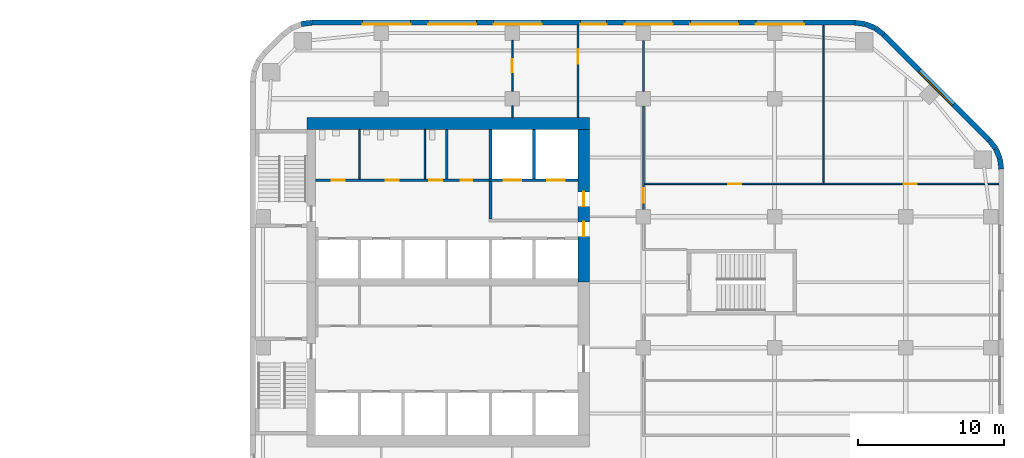
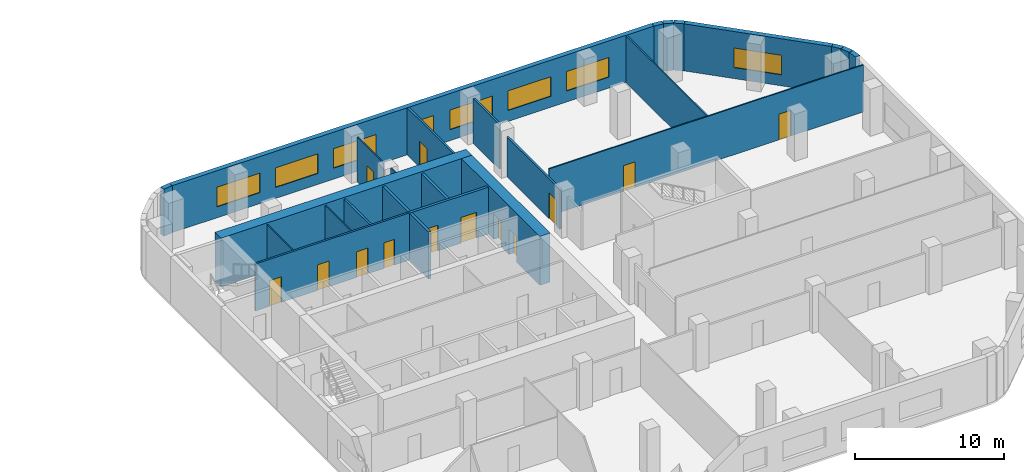
# One storey, part 10 of 14: 26 walls, 13 doors, 8 windows, 21 openings.
"""IFC4 building model written with IfcOpenShell, lengths in metres."""

from ifc_helpers import new_model, si_unit, direction, frame, frame_2d, origin, place, context, subcontext, project, spatial, rectangle, extrude, material, layer, layer_set, type_object, element, fill, save


model = new_model("IFC4")

# Units and contexts
model_context = context("Model", 3, precision=1e-05, world=origin(), true_north=direction((0.0, 1.0)))
body_context = subcontext(model_context, "Body", "Model", "MODEL_VIEW")
ifc_project = project(units=[si_unit("LENGTHUNIT", "METRE"), si_unit("AREAUNIT", "SQUARE_METRE"), si_unit("VOLUMEUNIT", "CUBIC_METRE"), si_unit("PLANEANGLEUNIT", "RADIAN"), si_unit("MASSUNIT", "GRAM", prefix="KILO")], contexts=[model_context])

# Site, building, storey
site_placement = place(None, origin())
site = spatial("IfcSite", under=ifc_project, at=site_placement, CompositionType="ELEMENT")
building_placement = place(site_placement, origin())
building = spatial("IfcBuilding", under=site, at=building_placement, Name="Cinnabar Reach Civic Tower", CompositionType="ELEMENT")
storey_placement = place(building_placement, frame((0.0, 0.0, 128.0)))
storey = spatial("IfcBuildingStorey", under=building, at=storey_placement, Name="L30", CompositionType="ELEMENT", Elevation=128.0)

# Walls
ifc_material_1 = material(Name="Facing brick with insulated backing", Category="masonry")
ifc_layer_1 = layer(ifc_material_1, 0.36)
ifc_layer_set_1 = layer_set([ifc_layer_1], Name="Brick corner wall")
wall_type_1 = type_object("IfcWallType", Name="Brick corner wall", PredefinedType="STANDARD", material=ifc_layer_set_1)
for number, where, z_axis, x_axis, name in (
    (1, (51.567, 39.2686, 0.0), (0.0, 0.0, 1.0), (-0.13055608231, 0.99144092581, 0.0), "Brick corner wall"),
    (2, (51.4681, 39.9973, 0.0), (0.0, 0.0, 1.0), (-0.382702709855, 0.923871547278, 0.0), "Brick corner wall"),
):
    element("IfcWall", number, at=place(storey_placement, frame(where, z_axis=z_axis, x_axis=x_axis)), inside=storey, type_object=wall_type_1, Name=name, PredefinedType="STANDARD", context=body_context, shape_type="SweptSolid", body=[
        extrude(rectangle(XDim=0.7131, YDim=0.36, at=frame_2d((0.3565, 0.0))), origin(), (0.0, 0.0, 1.0), 3.85),
    ])
for number, where, z_axis, x_axis, name in (
    (3, (51.184, 40.6755, 0.0), (0.0, 0.0, 1.0), (-0.608802368033, 0.793321924995, 0.0), "Brick corner wall"),
    (4, (43.4913, 48.4998, 0.0), (0.0, 0.0, 1.0), (-0.793321924995, 0.608802368033, 0.0), "Brick corner wall"),
):
    element("IfcWall", number, at=place(storey_placement, frame(where, z_axis=z_axis, x_axis=x_axis)), inside=storey, type_object=wall_type_1, Name=name, PredefinedType="STANDARD", context=body_context, shape_type="SweptSolid", body=[
        extrude(rectangle(XDim=0.7132, YDim=0.36, at=frame_2d((0.3566, 0.0))), origin(), (0.0, 0.0, 1.0), 3.85),
    ])
for number, where, z_axis, x_axis, name in (
    (5, (42.9061, 48.9452, 0.0), (0.0, 0.0, 1.0), (-0.923871547278, 0.382702709855, 0.0), "Brick corner wall"),
    (6, (42.2256, 49.2239, 0.0), (0.0, 0.0, 1.0), (-0.99144092581, 0.13055608231, 0.0), "Brick corner wall"),
    (7, (4.2314, 49.317, 0.0), (0.0, 0.0, 1.0), (-0.99144092581, -0.13055608231, 0.0), "Brick corner wall"),
):
    element("IfcWall", number, at=place(storey_placement, frame(where, z_axis=z_axis, x_axis=x_axis)), inside=storey, type_object=wall_type_1, Name=name, PredefinedType="STANDARD", context=body_context, shape_type="SweptSolid", body=[
        extrude(rectangle(XDim=0.7131, YDim=0.36, at=frame_2d((0.3565, 0.0))), origin(), (0.0, 0.0, 1.0), 3.85),
    ])

# Wall, opening, window
ifc_layer_2 = layer(ifc_material_1, 0.36)
ifc_layer_set_2 = layer_set([ifc_layer_2], Name="Brick pier and spandrel wall")
wall_type_2 = type_object("IfcWallType", Name="Brick pier and spandrel wall", PredefinedType="STANDARD", material=ifc_layer_set_2)
wall_1_placement = place(storey_placement, frame((50.744, 41.2514, 0.0), z_axis=(0.0, 0.0, 1.0), x_axis=(-0.707106781187, 0.707106781187, 0.0)))
wall_1 = element("IfcWall", 8, at=wall_1_placement, inside=storey, type_object=wall_type_2, Name="Brick facade wall", PredefinedType="STANDARD", context=body_context, shape_type="SweptSolid", body=[
    extrude(rectangle(XDim=10.2426, YDim=0.36, at=frame_2d((5.1213, 0.0))), origin(), (0.0, 0.0, 1.0), 3.85),
])
opening_1_placement = place(wall_1_placement, frame((3.4713, 0.0, 0.9)))
opening_1 = element("IfcOpeningElement", 9, at=opening_1_placement, cuts=wall_1, Name="Opening W1645", PredefinedType="OPENING", context=body_context, shape_type="SweptSolid", body=[
    extrude(rectangle(XDim=3.3, YDim=1.6, at=frame_2d((1.65, 0.8))), frame((0.0, 0.19, 0.0), z_axis=(0.0, -1.0, 0.0), x_axis=(1.0, 0.0, 0.0)), (0.0, 0.0, 1.0), 0.38),
])
ifc_material_2 = material(Name="Clear double glazing in aluminium frame", Category="aluminium")
window_type_1 = type_object("IfcWindowType", Name="Deep-set window A", PartitioningType="SINGLE_PANEL", PredefinedType="WINDOW", material=ifc_material_2)
window_1_placement = place(opening_1_placement, origin())
window_1 = element("IfcWindow", 10, at=window_1_placement, inside=storey, type_object=window_type_1, Name="Window northeast face", OverallHeight=1.6, OverallWidth=3.3, PartitioningType="SINGLE_PANEL", PredefinedType="WINDOW", context=body_context, shape_type="SweptSolid", body=[
    extrude(rectangle(XDim=3.3, YDim=1.6, at=frame_2d((1.65, 0.8))), frame((0.0, 0.13, 0.0), z_axis=(0.0, -1.0, 0.0), x_axis=(1.0, 0.0, 0.0)), (0.0, 0.0, 1.0), 0.06),
])
fill(opening_1, window_1)

# Wall, openings, windows
wall_2_placement = place(storey_placement, frame((41.5074, 49.32, 0.0), z_axis=(0.0, 0.0, 1.0), x_axis=(-1.0, 0.0, 0.0)))
wall_2 = element("IfcWall", 11, at=wall_2_placement, inside=storey, type_object=wall_type_2, Name="Brick facade wall", PredefinedType="STANDARD", context=body_context, shape_type="SweptSolid", body=[
    extrude(rectangle(XDim=37.2648, YDim=0.36, at=frame_2d((18.6324, 0.0))), origin(), (0.0, 0.0, 1.0), 3.85),
])
opening_2_placement = place(wall_2_placement, frame((3.4824, 0.0, 0.9)))
opening_2 = element("IfcOpeningElement", 12, at=opening_2_placement, cuts=wall_2, Name="Opening W1646", PredefinedType="OPENING", context=body_context, shape_type="SweptSolid", body=[
    extrude(rectangle(XDim=3.3, YDim=1.6, at=frame_2d((1.65, 0.8))), frame((0.0, 0.19, 0.0), z_axis=(0.0, -1.0, 0.0), x_axis=(1.0, 0.0, 0.0)), (0.0, 0.0, 1.0), 0.38),
])
opening_3_placement = place(wall_2_placement, frame((7.9824, 0.0, 0.9)))
opening_3 = element("IfcOpeningElement", 13, at=opening_3_placement, cuts=wall_2, Name="Opening W1647", PredefinedType="OPENING", context=body_context, shape_type="SweptSolid", body=[
    extrude(rectangle(XDim=3.3, YDim=1.6, at=frame_2d((1.65, 0.8))), frame((0.0, 0.19, 0.0), z_axis=(0.0, -1.0, 0.0), x_axis=(1.0, 0.0, 0.0)), (0.0, 0.0, 1.0), 0.38),
])
opening_4_placement = place(wall_2_placement, frame((12.4824, 0.0, 0.9)))
opening_4 = element("IfcOpeningElement", 14, at=opening_4_placement, cuts=wall_2, Name="Opening W1648", PredefinedType="OPENING", context=body_context, shape_type="SweptSolid", body=[
    extrude(rectangle(XDim=3.3, YDim=1.6, at=frame_2d((1.65, 0.8))), frame((0.0, 0.19, 0.0), z_axis=(0.0, -1.0, 0.0), x_axis=(1.0, 0.0, 0.0)), (0.0, 0.0, 1.0), 0.38),
])
opening_5_placement = place(wall_2_placement, frame((17.0324, 0.0, 0.9)))
opening_5 = element("IfcOpeningElement", 15, at=opening_5_placement, cuts=wall_2, Name="Opening W1649", PredefinedType="OPENING", context=body_context, shape_type="SweptSolid", body=[
    extrude(rectangle(XDim=1.8, YDim=1.6, at=frame_2d((0.9, 0.8))), frame((0.0, 0.19, 0.0), z_axis=(0.0, -1.0, 0.0), x_axis=(1.0, 0.0, 0.0)), (0.0, 0.0, 1.0), 0.38),
])
opening_6_placement = place(wall_2_placement, frame((21.4824, 0.0, 0.9)))
opening_6 = element("IfcOpeningElement", 16, at=opening_6_placement, cuts=wall_2, Name="Opening W1650", PredefinedType="OPENING", context=body_context, shape_type="SweptSolid", body=[
    extrude(rectangle(XDim=3.3, YDim=1.6, at=frame_2d((1.65, 0.8))), frame((0.0, 0.19, 0.0), z_axis=(0.0, -1.0, 0.0), x_axis=(1.0, 0.0, 0.0)), (0.0, 0.0, 1.0), 0.38),
])
opening_7_placement = place(wall_2_placement, frame((25.9824, 0.0, 0.9)))
opening_7 = element("IfcOpeningElement", 17, at=opening_7_placement, cuts=wall_2, Name="Opening W1651", PredefinedType="OPENING", context=body_context, shape_type="SweptSolid", body=[
    extrude(rectangle(XDim=3.3, YDim=1.6, at=frame_2d((1.65, 0.8))), frame((0.0, 0.19, 0.0), z_axis=(0.0, -1.0, 0.0), x_axis=(1.0, 0.0, 0.0)), (0.0, 0.0, 1.0), 0.38),
])
opening_8_placement = place(wall_2_placement, frame((30.4824, 0.0, 0.9)))
opening_8 = element("IfcOpeningElement", 18, at=opening_8_placement, cuts=wall_2, Name="Opening W1652", PredefinedType="OPENING", context=body_context, shape_type="SweptSolid", body=[
    extrude(rectangle(XDim=3.3, YDim=1.6, at=frame_2d((1.65, 0.8))), frame((0.0, 0.19, 0.0), z_axis=(0.0, -1.0, 0.0), x_axis=(1.0, 0.0, 0.0)), (0.0, 0.0, 1.0), 0.38),
])
window_2_placement = place(opening_2_placement, origin())
window_2 = element("IfcWindow", 19, at=window_2_placement, inside=storey, type_object=window_type_1, Name="Window north face", OverallHeight=1.6, OverallWidth=3.3, PartitioningType="SINGLE_PANEL", PredefinedType="WINDOW", context=body_context, shape_type="SweptSolid", body=[
    extrude(rectangle(XDim=3.3, YDim=1.6, at=frame_2d((1.65, 0.8))), frame((0.0, 0.13, 0.0), z_axis=(0.0, -1.0, 0.0), x_axis=(1.0, 0.0, 0.0)), (0.0, 0.0, 1.0), 0.06),
])
fill(opening_2, window_2)
window_3_placement = place(opening_3_placement, origin())
window_3 = element("IfcWindow", 20, at=window_3_placement, inside=storey, type_object=window_type_1, Name="Window north face", OverallHeight=1.6, OverallWidth=3.3, PartitioningType="SINGLE_PANEL", PredefinedType="WINDOW", context=body_context, shape_type="SweptSolid", body=[
    extrude(rectangle(XDim=3.3, YDim=1.6, at=frame_2d((1.65, 0.8))), frame((0.0, 0.13, 0.0), z_axis=(0.0, -1.0, 0.0), x_axis=(1.0, 0.0, 0.0)), (0.0, 0.0, 1.0), 0.06),
])
fill(opening_3, window_3)
window_4_placement = place(opening_4_placement, origin())
window_4 = element("IfcWindow", 21, at=window_4_placement, inside=storey, type_object=window_type_1, Name="Window north face", OverallHeight=1.6, OverallWidth=3.3, PartitioningType="SINGLE_PANEL", PredefinedType="WINDOW", context=body_context, shape_type="SweptSolid", body=[
    extrude(rectangle(XDim=3.3, YDim=1.6, at=frame_2d((1.65, 0.8))), frame((0.0, 0.13, 0.0), z_axis=(0.0, -1.0, 0.0), x_axis=(1.0, 0.0, 0.0)), (0.0, 0.0, 1.0), 0.06),
])
fill(opening_4, window_4)
window_5_placement = place(opening_6_placement, origin())
window_5 = element("IfcWindow", 22, at=window_5_placement, inside=storey, type_object=window_type_1, Name="Window north face", OverallHeight=1.6, OverallWidth=3.3, PartitioningType="SINGLE_PANEL", PredefinedType="WINDOW", context=body_context, shape_type="SweptSolid", body=[
    extrude(rectangle(XDim=3.3, YDim=1.6, at=frame_2d((1.65, 0.8))), frame((0.0, 0.13, 0.0), z_axis=(0.0, -1.0, 0.0), x_axis=(1.0, 0.0, 0.0)), (0.0, 0.0, 1.0), 0.06),
])
fill(opening_6, window_5)
window_6_placement = place(opening_7_placement, origin())
window_6 = element("IfcWindow", 23, at=window_6_placement, inside=storey, type_object=window_type_1, Name="Window north face", OverallHeight=1.6, OverallWidth=3.3, PartitioningType="SINGLE_PANEL", PredefinedType="WINDOW", context=body_context, shape_type="SweptSolid", body=[
    extrude(rectangle(XDim=3.3, YDim=1.6, at=frame_2d((1.65, 0.8))), frame((0.0, 0.13, 0.0), z_axis=(0.0, -1.0, 0.0), x_axis=(1.0, 0.0, 0.0)), (0.0, 0.0, 1.0), 0.06),
])
fill(opening_7, window_6)
window_7_placement = place(opening_8_placement, origin())
window_7 = element("IfcWindow", 24, at=window_7_placement, inside=storey, type_object=window_type_1, Name="Window north face", OverallHeight=1.6, OverallWidth=3.3, PartitioningType="SINGLE_PANEL", PredefinedType="WINDOW", context=body_context, shape_type="SweptSolid", body=[
    extrude(rectangle(XDim=3.3, YDim=1.6, at=frame_2d((1.65, 0.8))), frame((0.0, 0.13, 0.0), z_axis=(0.0, -1.0, 0.0), x_axis=(1.0, 0.0, 0.0)), (0.0, 0.0, 1.0), 0.06),
])
fill(opening_8, window_7)
window_type_2 = type_object("IfcWindowType", Name="Deep-set window D", PartitioningType="SINGLE_PANEL", PredefinedType="WINDOW", material=ifc_material_2)
window_8_placement = place(opening_5_placement, origin())
window_8 = element("IfcWindow", 25, at=window_8_placement, inside=storey, type_object=window_type_2, Name="Window north face", OverallHeight=1.6, OverallWidth=1.8, PartitioningType="SINGLE_PANEL", PredefinedType="WINDOW", context=body_context, shape_type="SweptSolid", body=[
    extrude(rectangle(XDim=1.8, YDim=1.6, at=frame_2d((0.9, 0.8))), frame((0.0, 0.13, 0.0), z_axis=(0.0, -1.0, 0.0), x_axis=(1.0, 0.0, 0.0)), (0.0, 0.0, 1.0), 0.06),
])
fill(opening_5, window_8)

# Wall
ifc_material_3 = material(Name="Concrete C70", Category="concrete")
ifc_layer_3 = layer(ifc_material_3, 0.8)
ifc_layer_set_3 = layer_set([ifc_layer_3], Name="Core wall 800 EI 180")
wall_type_3 = type_object("IfcWallType", Name="Core wall 800 EI 180", PredefinedType="SOLIDWALL", material=ifc_layer_set_3)
wall_3_placement = place(storey_placement, frame((23.3, 42.4, 0.0), z_axis=(0.0, 0.0, 1.0), x_axis=(-1.0, 0.0, 0.0)))
element("IfcWall", 26, at=wall_3_placement, inside=storey, type_object=wall_type_3, Name="Core wall T1 L30 N", PredefinedType="SOLIDWALL", context=body_context, shape_type="SweptSolid", body=[
    extrude(rectangle(XDim=19.4, YDim=0.8, at=frame_2d((9.7, 0.0))), origin(), (0.0, 0.0, 1.0), 4.0),
])

# Wall, openings, doors
wall_4_placement = place(storey_placement, frame((22.9, 31.5, 0.0), z_axis=(0.0, 0.0, 1.0), x_axis=(0.0, 1.0, 0.0)))
wall_4 = element("IfcWall", 27, at=wall_4_placement, inside=storey, type_object=wall_type_3, Name="Core wall T1 L30 E2", PredefinedType="SOLIDWALL", context=body_context, shape_type="SweptSolid", body=[
    extrude(rectangle(XDim=10.5, YDim=0.8, at=frame_2d((5.25, 0.0))), origin(), (0.0, 0.0, 1.0), 4.0),
])
opening_9_placement = place(wall_4_placement, frame((3.15, 0.0, 0.0)))
opening_9 = element("IfcOpeningElement", 28, at=opening_9_placement, cuts=wall_4, Name="Opening D4229", PredefinedType="OPENING", context=body_context, shape_type="SweptSolid", body=[
    extrude(rectangle(XDim=1.0, YDim=2.1, at=frame_2d((0.5, 1.05))), frame((0.0, 0.41, 0.0), z_axis=(0.0, -1.0, 0.0), x_axis=(1.0, 0.0, 0.0)), (0.0, 0.0, 1.0), 0.82),
])
opening_10_placement = place(wall_4_placement, frame((5.2, 0.0, 0.0)))
opening_10 = element("IfcOpeningElement", 29, at=opening_10_placement, cuts=wall_4, Name="Opening D4230", PredefinedType="OPENING", context=body_context, shape_type="SweptSolid", body=[
    extrude(rectangle(XDim=1.0, YDim=2.1, at=frame_2d((0.5, 1.05))), frame((0.0, 0.41, 0.0), z_axis=(0.0, -1.0, 0.0), x_axis=(1.0, 0.0, 0.0)), (0.0, 0.0, 1.0), 0.82),
])
ifc_material_4 = material(Name="Timber door leaf in steel frame", Category="steel")
door_type_1 = type_object("IfcDoorType", Name="Firefighting lobby door 1000 x 2100 T1", OperationType="SINGLE_SWING_LEFT", PredefinedType="DOOR", material=ifc_material_4)
door_1_placement = place(opening_10_placement, origin())
door_1 = element("IfcDoor", 30, at=door_1_placement, inside=storey, type_object=door_type_1, Name="Door D4230", OperationType="SINGLE_SWING_RIGHT", OverallHeight=2.1, OverallWidth=1.0, PredefinedType="DOOR", context=body_context, shape_type="SweptSolid", body=[
    extrude(rectangle(XDim=1.0, YDim=2.1, at=frame_2d((0.5, 1.05))), frame((0.0, 0.025, 0.0), z_axis=(0.0, -1.0, 0.0), x_axis=(1.0, 0.0, 0.0)), (0.0, 0.0, 1.0), 0.05),
])
fill(opening_10, door_1)
door_type_2 = type_object("IfcDoorType", Name="Single swing door 1000 x 2100 T1", OperationType="SINGLE_SWING_LEFT", PredefinedType="DOOR", material=ifc_material_4)
door_2_placement = place(opening_9_placement, origin())
door_2 = element("IfcDoor", 31, at=door_2_placement, inside=storey, type_object=door_type_2, Name="Door D4229", OperationType="SINGLE_SWING_RIGHT", OverallHeight=2.1, OverallWidth=1.0, PredefinedType="DOOR", context=body_context, shape_type="SweptSolid", body=[
    extrude(rectangle(XDim=1.0, YDim=2.1, at=frame_2d((0.5, 1.05))), frame((0.0, 0.025, 0.0), z_axis=(0.0, -1.0, 0.0), x_axis=(1.0, 0.0, 0.0)), (0.0, 0.0, 1.0), 0.05),
])
fill(opening_9, door_2)

# Wall, opening, door
ifc_material_5 = material(Name="Gypsum board on steel studs, double layer", Category="steel")
ifc_layer_4 = layer(ifc_material_5, 0.15)
ifc_layer_set_4 = layer_set([ifc_layer_4], Name="Corridor wall 150 T1")
wall_type_4 = type_object("IfcWallType", Name="Corridor wall 150 T1", PredefinedType="PARTITIONING", material=ifc_layer_set_4)
wall_5_placement = place(storey_placement, frame((27.0, 36.5, 0.0), z_axis=(0.0, 0.0, 1.0), x_axis=(0.0, 1.0, 0.0)))
wall_5 = element("IfcWall", 32, at=wall_5_placement, inside=storey, type_object=wall_type_4, Name="Corridor wall 28", PredefinedType="PARTITIONING", context=body_context, shape_type="SweptSolid", body=[
    extrude(rectangle(XDim=7.1, YDim=0.15, at=frame_2d((3.55, 0.0))), origin(), (0.0, 0.0, 1.0), 3.256),
])
opening_11_placement = place(wall_5_placement, frame((0.45, 0.0, 0.0)))
opening_11 = element("IfcOpeningElement", 33, at=opening_11_placement, cuts=wall_5, Name="Opening D4239", PredefinedType="OPENING", context=body_context, shape_type="SweptSolid", body=[
    extrude(rectangle(XDim=1.0, YDim=2.1, at=frame_2d((0.5, 1.05))), frame((0.0, 0.085, 0.0), z_axis=(0.0, -1.0, 0.0), x_axis=(1.0, 0.0, 0.0)), (0.0, 0.0, 1.0), 0.17),
])
door_type_3 = type_object("IfcDoorType", Name="Tenancy entrance door 1000 x 2100 T1", OperationType="SINGLE_SWING_LEFT", PredefinedType="DOOR", material=ifc_material_4)
door_3_placement = place(opening_11_placement, frame((1.0, 0.0, 0.0), z_axis=(0.0, 0.0, 1.0), x_axis=(-1.0, 0.0, 0.0)))
door_3 = element("IfcDoor", 34, at=door_3_placement, inside=storey, type_object=door_type_3, Name="Door D4239", OperationType="SINGLE_SWING_LEFT", OverallHeight=2.1, OverallWidth=1.0, PredefinedType="DOOR", context=body_context, shape_type="SweptSolid", body=[
    extrude(rectangle(XDim=1.0, YDim=2.1, at=frame_2d((0.5, 1.05))), frame((0.0, 0.025, 0.0), z_axis=(0.0, -1.0, 0.0), x_axis=(1.0, 0.0, 0.0)), (0.0, 0.0, 1.0), 0.05),
])
fill(opening_11, door_3)

# Wall
wall_6_placement = place(storey_placement, frame((27.0, 44.6, 0.0), z_axis=(0.0, 0.0, 1.0), x_axis=(0.0, 1.0, 0.0)))
element("IfcWall", 35, at=wall_6_placement, inside=storey, type_object=wall_type_4, Name="Corridor wall 29", PredefinedType="PARTITIONING", context=body_context, shape_type="SweptSolid", body=[
    extrude(rectangle(XDim=3.5, YDim=0.15, at=frame_2d((1.75, 0.0))), origin(), (0.0, 0.0, 1.0), 3.652),
])

# Wall, openings, doors
wall_7_placement = place(storey_placement, frame((4.5, 38.5, 0.0), z_axis=(0.0, 0.0, 1.0), x_axis=(1.0, 0.0, 0.0)))
wall_7 = element("IfcWall", 36, at=wall_7_placement, inside=storey, type_object=wall_type_4, Name="Corridor wall 30", PredefinedType="PARTITIONING", context=body_context, shape_type="SweptSolid", body=[
    extrude(rectangle(XDim=11.9, YDim=0.15, at=frame_2d((5.95, 0.0))), origin(), (0.0, 0.0, 1.0), 3.85),
])
opening_12_placement = place(wall_7_placement, frame((1.1, 0.0, 0.0)))
opening_12 = element("IfcOpeningElement", 37, at=opening_12_placement, cuts=wall_7, Name="Opening D4235", PredefinedType="OPENING", context=body_context, shape_type="SweptSolid", body=[
    extrude(rectangle(XDim=0.9, YDim=2.1, at=frame_2d((0.45, 1.05))), frame((0.0, 0.085, 0.0), z_axis=(0.0, -1.0, 0.0), x_axis=(1.0, 0.0, 0.0)), (0.0, 0.0, 1.0), 0.17),
])
opening_13_placement = place(wall_7_placement, frame((4.8, 0.0, 0.0)))
opening_13 = element("IfcOpeningElement", 38, at=opening_13_placement, cuts=wall_7, Name="Opening D4236", PredefinedType="OPENING", context=body_context, shape_type="SweptSolid", body=[
    extrude(rectangle(XDim=0.9, YDim=2.1, at=frame_2d((0.45, 1.05))), frame((0.0, 0.085, 0.0), z_axis=(0.0, -1.0, 0.0), x_axis=(1.0, 0.0, 0.0)), (0.0, 0.0, 1.0), 0.17),
])
opening_14_placement = place(wall_7_placement, frame((7.8, 0.0, 0.0)))
opening_14 = element("IfcOpeningElement", 39, at=opening_14_placement, cuts=wall_7, Name="Opening D4237", PredefinedType="OPENING", context=body_context, shape_type="SweptSolid", body=[
    extrude(rectangle(XDim=0.9, YDim=2.1, at=frame_2d((0.45, 1.05))), frame((0.0, 0.085, 0.0), z_axis=(0.0, -1.0, 0.0), x_axis=(1.0, 0.0, 0.0)), (0.0, 0.0, 1.0), 0.17),
])
opening_15_placement = place(wall_7_placement, frame((9.95, 0.0, 0.0)))
opening_15 = element("IfcOpeningElement", 40, at=opening_15_placement, cuts=wall_7, Name="Opening D4238", PredefinedType="OPENING", context=body_context, shape_type="SweptSolid", body=[
    extrude(rectangle(XDim=0.8, YDim=2.1, at=frame_2d((0.4, 1.05))), frame((0.0, 0.085, 0.0), z_axis=(0.0, -1.0, 0.0), x_axis=(1.0, 0.0, 0.0)), (0.0, 0.0, 1.0), 0.17),
])
door_type_4 = type_object("IfcDoorType", Name="Riser access door 800 x 2100 T1", OperationType="SINGLE_SWING_LEFT", PredefinedType="DOOR", material=ifc_material_4)
door_4_placement = place(opening_15_placement, origin())
door_4 = element("IfcDoor", 41, at=door_4_placement, inside=storey, type_object=door_type_4, Name="Door D4238", OperationType="SINGLE_SWING_RIGHT", OverallHeight=2.1, OverallWidth=0.8, PredefinedType="DOOR", context=body_context, shape_type="SweptSolid", body=[
    extrude(rectangle(XDim=0.8, YDim=2.1, at=frame_2d((0.4, 1.05))), frame((0.0, 0.025, 0.0), z_axis=(0.0, -1.0, 0.0), x_axis=(1.0, 0.0, 0.0)), (0.0, 0.0, 1.0), 0.05),
])
fill(opening_15, door_4)
door_type_5 = type_object("IfcDoorType", Name="Single swing door 900 x 2100 corridor T1", OperationType="SINGLE_SWING_LEFT", PredefinedType="DOOR", material=ifc_material_4)
door_5_placement = place(opening_12_placement, origin())
door_5 = element("IfcDoor", 42, at=door_5_placement, inside=storey, type_object=door_type_5, Name="Door D4235", OperationType="SINGLE_SWING_RIGHT", OverallHeight=2.1, OverallWidth=0.9, PredefinedType="DOOR", context=body_context, shape_type="SweptSolid", body=[
    extrude(rectangle(XDim=0.9, YDim=2.1, at=frame_2d((0.45, 1.05))), frame((0.0, 0.025, 0.0), z_axis=(0.0, -1.0, 0.0), x_axis=(1.0, 0.0, 0.0)), (0.0, 0.0, 1.0), 0.05),
])
fill(opening_12, door_5)
door_6_placement = place(opening_13_placement, origin())
door_6 = element("IfcDoor", 43, at=door_6_placement, inside=storey, type_object=door_type_5, Name="Door D4236", OperationType="SINGLE_SWING_LEFT", OverallHeight=2.1, OverallWidth=0.9, PredefinedType="DOOR", context=body_context, shape_type="SweptSolid", body=[
    extrude(rectangle(XDim=0.9, YDim=2.1, at=frame_2d((0.45, 1.05))), frame((0.0, 0.025, 0.0), z_axis=(0.0, -1.0, 0.0), x_axis=(1.0, 0.0, 0.0)), (0.0, 0.0, 1.0), 0.05),
])
fill(opening_13, door_6)
door_7_placement = place(opening_14_placement, origin())
door_7 = element("IfcDoor", 44, at=door_7_placement, inside=storey, type_object=door_type_5, Name="Door D4237", OperationType="SINGLE_SWING_RIGHT", OverallHeight=2.1, OverallWidth=0.9, PredefinedType="DOOR", context=body_context, shape_type="SweptSolid", body=[
    extrude(rectangle(XDim=0.9, YDim=2.1, at=frame_2d((0.45, 1.05))), frame((0.0, 0.025, 0.0), z_axis=(0.0, -1.0, 0.0), x_axis=(1.0, 0.0, 0.0)), (0.0, 0.0, 1.0), 0.05),
])
fill(opening_14, door_7)

# Wall, opening, door
wall_8_placement = place(storey_placement, frame((22.5, 42.8, 0.0), z_axis=(0.0, 0.0, 1.0), x_axis=(0.0, 1.0, 0.0)))
wall_8 = element("IfcWall", 45, at=wall_8_placement, inside=storey, type_object=wall_type_4, Name="Corridor wall 33", PredefinedType="PARTITIONING", context=body_context, shape_type="SweptSolid", body=[
    extrude(rectangle(XDim=6.34, YDim=0.15, at=frame_2d((3.17, 0.0))), origin(), (0.0, 0.0, 1.0), 3.85),
])
opening_16_placement = place(wall_8_placement, frame((3.7, 0.0, 0.0)))
opening_16 = element("IfcOpeningElement", 46, at=opening_16_placement, cuts=wall_8, Name="Opening D4250", PredefinedType="OPENING", context=body_context, shape_type="SweptSolid", body=[
    extrude(rectangle(XDim=1.0, YDim=2.1, at=frame_2d((0.5, 1.05))), frame((0.0, 0.085, 0.0), z_axis=(0.0, -1.0, 0.0), x_axis=(1.0, 0.0, 0.0)), (0.0, 0.0, 1.0), 0.17),
])
door_8_placement = place(opening_16_placement, origin())
door_8 = element("IfcDoor", 47, at=door_8_placement, inside=storey, type_object=door_type_3, Name="Door D4250", OperationType="SINGLE_SWING_LEFT", OverallHeight=2.1, OverallWidth=1.0, PredefinedType="DOOR", context=body_context, shape_type="SweptSolid", body=[
    extrude(rectangle(XDim=1.0, YDim=2.1, at=frame_2d((0.5, 1.05))), frame((0.0, 0.025, 0.0), z_axis=(0.0, -1.0, 0.0), x_axis=(1.0, 0.0, 0.0)), (0.0, 0.0, 1.0), 0.05),
])
fill(opening_16, door_8)

# Walls
ifc_material_6 = material(Name="Blockwork", Category="masonry")
ifc_layer_5 = layer(ifc_material_6, 0.2)
ifc_layer_set_5 = layer_set([ifc_layer_5], Name="Lift shaft wall 200 T1")
wall_type_5 = type_object("IfcWallType", Name="Lift shaft wall 200 T1", PredefinedType="PARTITIONING", material=ifc_layer_set_5)
for number, where, z_axis, x_axis, name in (
    (48, (16.5, 38.6, 0.0), (0.0, 0.0, 1.0), (0.0, 1.0, 0.0), "Lift shaft wall 6"),
    (49, (19.5, 38.6, 0.0), (0.0, 0.0, 1.0), (0.0, 1.0, 0.0), "Lift shaft wall 7"),
):
    element("IfcWall", number, at=place(storey_placement, frame(where, z_axis=z_axis, x_axis=x_axis)), inside=storey, type_object=wall_type_5, Name=name, PredefinedType="PARTITIONING", context=body_context, shape_type="SweptSolid", body=[
        extrude(rectangle(XDim=3.4, YDim=0.2, at=frame_2d((1.7, 0.0))), origin(), (0.0, 0.0, 1.0), 3.85),
    ])

# Wall, openings, doors
ifc_material_7 = material(Name="Gypsum board on steel studs", Category="steel")
ifc_layer_6 = layer(ifc_material_7, 0.1)
ifc_layer_set_6 = layer_set([ifc_layer_6], Name="Partition wall 100 T1")
wall_type_6 = type_object("IfcWallType", Name="Partition wall 100 T1", PredefinedType="PARTITIONING", material=ifc_layer_set_6)
wall_9_placement = place(storey_placement, frame((27.075, 38.25, 0.0), z_axis=(0.0, 0.0, 1.0), x_axis=(1.0, 0.0, 0.0)))
wall_9 = element("IfcWall", 50, at=wall_9_placement, inside=storey, type_object=wall_type_6, Name="Partition wall 42", PredefinedType="PARTITIONING", context=body_context, shape_type="SweptSolid", body=[
    extrude(rectangle(XDim=24.315, YDim=0.1, at=frame_2d((12.1575, 0.0))), origin(), (0.0, 0.0, 1.0), 3.85),
])
opening_17_placement = place(wall_9_placement, frame((5.75, 0.0, 0.0)))
opening_17 = element("IfcOpeningElement", 51, at=opening_17_placement, cuts=wall_9, Name="Opening D4240", PredefinedType="OPENING", context=body_context, shape_type="SweptSolid", body=[
    extrude(rectangle(XDim=0.9, YDim=2.1, at=frame_2d((0.45, 1.05))), frame((0.0, 0.06, 0.0), z_axis=(0.0, -1.0, 0.0), x_axis=(1.0, 0.0, 0.0)), (0.0, 0.0, 1.0), 0.12),
])
opening_18_placement = place(wall_9_placement, frame((17.8, 0.0, 0.0)))
opening_18 = element("IfcOpeningElement", 52, at=opening_18_placement, cuts=wall_9, Name="Opening D4241", PredefinedType="OPENING", context=body_context, shape_type="SweptSolid", body=[
    extrude(rectangle(XDim=0.9, YDim=2.1, at=frame_2d((0.45, 1.05))), frame((0.0, 0.06, 0.0), z_axis=(0.0, -1.0, 0.0), x_axis=(1.0, 0.0, 0.0)), (0.0, 0.0, 1.0), 0.12),
])
door_type_6 = type_object("IfcDoorType", Name="Single swing door 900 x 2100 T1", OperationType="SINGLE_SWING_LEFT", PredefinedType="DOOR", material=ifc_material_4)
door_9_placement = place(opening_17_placement, origin())
door_9 = element("IfcDoor", 53, at=door_9_placement, inside=storey, type_object=door_type_6, Name="Door D4240", OperationType="SINGLE_SWING_LEFT", OverallHeight=2.1, OverallWidth=0.9, PredefinedType="DOOR", context=body_context, shape_type="SweptSolid", body=[
    extrude(rectangle(XDim=0.9, YDim=2.1, at=frame_2d((0.45, 1.05))), frame((0.0, 0.025, 0.0), z_axis=(0.0, -1.0, 0.0), x_axis=(1.0, 0.0, 0.0)), (0.0, 0.0, 1.0), 0.05),
])
fill(opening_17, door_9)
door_10_placement = place(opening_18_placement, origin())
door_10 = element("IfcDoor", 54, at=door_10_placement, inside=storey, type_object=door_type_6, Name="Door D4241", OperationType="SINGLE_SWING_RIGHT", OverallHeight=2.1, OverallWidth=0.9, PredefinedType="DOOR", context=body_context, shape_type="SweptSolid", body=[
    extrude(rectangle(XDim=0.9, YDim=2.1, at=frame_2d((0.45, 1.05))), frame((0.0, 0.025, 0.0), z_axis=(0.0, -1.0, 0.0), x_axis=(1.0, 0.0, 0.0)), (0.0, 0.0, 1.0), 0.05),
])
fill(opening_18, door_10)

# Walls
wall_10_placement = place(storey_placement, frame((39.375, 38.3, 0.0), z_axis=(0.0, 0.0, 1.0), x_axis=(0.0, 1.0, 0.0)))
element("IfcWall", 55, at=wall_10_placement, inside=storey, type_object=wall_type_6, Name="Partition wall 49", PredefinedType="PARTITIONING", context=body_context, shape_type="SweptSolid", body=[
    extrude(rectangle(XDim=10.84, YDim=0.1, at=frame_2d((5.42, 0.0))), origin(), (0.0, 0.0, 1.0), 3.85),
])
wall_11_placement = place(storey_placement, frame((18.0, 42.8, 0.0), z_axis=(0.0, 0.0, 1.0), x_axis=(0.0, 1.0, 0.0)))
element("IfcWall", 56, at=wall_11_placement, inside=storey, type_object=wall_type_6, Name="Partition wall 51", PredefinedType="PARTITIONING", context=body_context, shape_type="SweptSolid", body=[
    extrude(rectangle(XDim=0.8, YDim=0.1, at=frame_2d((0.4, 0.0))), origin(), (0.0, 0.0, 1.0), 3.85),
])

# Wall, opening, door
wall_12_placement = place(storey_placement, frame((18.0, 44.6, 0.0), z_axis=(0.0, 0.0, 1.0), x_axis=(0.0, 1.0, 0.0)))
wall_12 = element("IfcWall", 57, at=wall_12_placement, inside=storey, type_object=wall_type_6, Name="Partition wall 52", PredefinedType="PARTITIONING", context=body_context, shape_type="SweptSolid", body=[
    extrude(rectangle(XDim=3.5, YDim=0.1, at=frame_2d((1.75, 0.0))), origin(), (0.0, 0.0, 1.0), 3.652),
])
opening_19_placement = place(wall_12_placement, frame((1.3, 0.0, 0.0)))
opening_19 = element("IfcOpeningElement", 58, at=opening_19_placement, cuts=wall_12, Name="Opening D4251", PredefinedType="OPENING", context=body_context, shape_type="SweptSolid", body=[
    extrude(rectangle(XDim=0.9, YDim=2.1, at=frame_2d((0.45, 1.05))), frame((0.0, 0.06, 0.0), z_axis=(0.0, -1.0, 0.0), x_axis=(1.0, 0.0, 0.0)), (0.0, 0.0, 1.0), 0.12),
])
door_11_placement = place(opening_19_placement, frame((0.9, 0.0, 0.0), z_axis=(0.0, 0.0, 1.0), x_axis=(-1.0, 0.0, 0.0)))
door_11 = element("IfcDoor", 59, at=door_11_placement, inside=storey, type_object=door_type_6, Name="Door D4251", OperationType="SINGLE_SWING_LEFT", OverallHeight=2.1, OverallWidth=0.9, PredefinedType="DOOR", context=body_context, shape_type="SweptSolid", body=[
    extrude(rectangle(XDim=0.9, YDim=2.1, at=frame_2d((0.45, 1.05))), frame((0.0, 0.025, 0.0), z_axis=(0.0, -1.0, 0.0), x_axis=(1.0, 0.0, 0.0)), (0.0, 0.0, 1.0), 0.05),
])
fill(opening_19, door_11)

# Walls
for number, where, z_axis, x_axis, name in (
    (60, (7.5, 38.575, 0.0), (0.0, 0.0, 1.0), (0.0, 1.0, 0.0), "Partition wall 53"),
    (61, (12.0, 38.575, 0.0), (0.0, 0.0, 1.0), (0.0, 1.0, 0.0), "Partition wall 54"),
):
    element("IfcWall", number, at=place(storey_placement, frame(where, z_axis=z_axis, x_axis=x_axis)), inside=storey, type_object=wall_type_6, Name=name, PredefinedType="PARTITIONING", context=body_context, shape_type="SweptSolid", body=[
        extrude(rectangle(XDim=3.425, YDim=0.1, at=frame_2d((1.7125, 0.0))), origin(), (0.0, 0.0, 1.0), 3.85),
    ])

# Wall, openings, doors
ifc_material_8 = material(Name="Concrete C40", Category="concrete")
ifc_layer_7 = layer(ifc_material_8, 0.2)
ifc_layer_set_7 = layer_set([ifc_layer_7], Name="Refuge compartment wall 200 T1")
wall_type_7 = type_object("IfcWallType", Name="Refuge compartment wall 200 T1", PredefinedType="PARTITIONING", material=ifc_layer_set_7)
wall_13_placement = place(storey_placement, frame((16.4, 38.5, 0.0), z_axis=(0.0, 0.0, 1.0), x_axis=(1.0, 0.0, 0.0)))
wall_13 = element("IfcWall", 62, at=wall_13_placement, inside=storey, type_object=wall_type_7, Name="Refuge compartment wall 2", PredefinedType="PARTITIONING", context=body_context, shape_type="SweptSolid", body=[
    extrude(rectangle(XDim=6.1, YDim=0.2, at=frame_2d((3.05, 0.0))), origin(), (0.0, 0.0, 1.0), 3.85),
])
opening_20_placement = place(wall_13_placement, frame((1.0, 0.0, 0.0)))
opening_20 = element("IfcOpeningElement", 63, at=opening_20_placement, cuts=wall_13, Name="Opening D4226", PredefinedType="OPENING", context=body_context, shape_type="SweptSolid", body=[
    extrude(rectangle(XDim=1.2, YDim=2.1, at=frame_2d((0.6, 1.05))), frame((0.0, 0.11, 0.0), z_axis=(0.0, -1.0, 0.0), x_axis=(1.0, 0.0, 0.0)), (0.0, 0.0, 1.0), 0.22),
])
opening_21_placement = place(wall_13_placement, frame((4.0, 0.0, 0.0)))
opening_21 = element("IfcOpeningElement", 64, at=opening_21_placement, cuts=wall_13, Name="Opening D4227", PredefinedType="OPENING", context=body_context, shape_type="SweptSolid", body=[
    extrude(rectangle(XDim=1.2, YDim=2.1, at=frame_2d((0.6, 1.05))), frame((0.0, 0.11, 0.0), z_axis=(0.0, -1.0, 0.0), x_axis=(1.0, 0.0, 0.0)), (0.0, 0.0, 1.0), 0.22),
])
ifc_material_9 = material(Name="Stainless steel sliding door", Category="steel")
door_type_7 = type_object("IfcDoorType", Name="Firefighting lift landing door 1200 x 2100 T1", OperationType="SLIDING_TO_LEFT", PredefinedType="DOOR", material=ifc_material_9)
door_12_placement = place(opening_20_placement, origin())
door_12 = element("IfcDoor", 65, at=door_12_placement, inside=storey, type_object=door_type_7, Name="Lift landing door FF1 L30", OperationType="SLIDING_TO_LEFT", OverallHeight=2.1, OverallWidth=1.2, PredefinedType="DOOR", context=body_context, shape_type="SweptSolid", body=[
    extrude(rectangle(XDim=1.2, YDim=2.1, at=frame_2d((0.6, 1.05))), frame((0.0, 0.025, 0.0), z_axis=(0.0, -1.0, 0.0), x_axis=(1.0, 0.0, 0.0)), (0.0, 0.0, 1.0), 0.05),
])
fill(opening_20, door_12)
door_13_placement = place(opening_21_placement, origin())
door_13 = element("IfcDoor", 66, at=door_13_placement, inside=storey, type_object=door_type_7, Name="Lift landing door FF2 L30", OperationType="SLIDING_TO_LEFT", OverallHeight=2.1, OverallWidth=1.2, PredefinedType="DOOR", context=body_context, shape_type="SweptSolid", body=[
    extrude(rectangle(XDim=1.2, YDim=2.1, at=frame_2d((0.6, 1.05))), frame((0.0, 0.025, 0.0), z_axis=(0.0, -1.0, 0.0), x_axis=(1.0, 0.0, 0.0)), (0.0, 0.0, 1.0), 0.05),
])
fill(opening_21, door_13)

# Walls
wall_14_placement = place(storey_placement, frame((16.5, 35.85, 0.0), z_axis=(0.0, 0.0, 1.0), x_axis=(0.0, 1.0, 0.0)))
element("IfcWall", 67, at=wall_14_placement, inside=storey, type_object=wall_type_7, Name="Refuge compartment wall 3", PredefinedType="PARTITIONING", context=body_context, shape_type="SweptSolid", body=[
    extrude(rectangle(XDim=2.55, YDim=0.2, at=frame_2d((1.275, 0.0))), origin(), (0.0, 0.0, 1.0), 3.85),
])
ifc_layer_8 = layer(ifc_material_6, 0.15)
ifc_layer_set_8 = layer_set([ifc_layer_8], Name="Riser wall 150 T1")
wall_type_8 = type_object("IfcWallType", Name="Riser wall 150 T1", PredefinedType="PARTITIONING", material=ifc_layer_set_8)
wall_15_placement = place(storey_placement, frame((13.5, 38.575, 0.0), z_axis=(0.0, 0.0, 1.0), x_axis=(0.0, 1.0, 0.0)))
element("IfcWall", 68, at=wall_15_placement, inside=storey, type_object=wall_type_8, Name="Riser wall 39", PredefinedType="PARTITIONING", context=body_context, shape_type="SweptSolid", body=[
    extrude(rectangle(XDim=3.425, YDim=0.15, at=frame_2d((1.7125, 0.0))), origin(), (0.0, 0.0, 1.0), 3.85),
])

save(model, "model.ifc")
